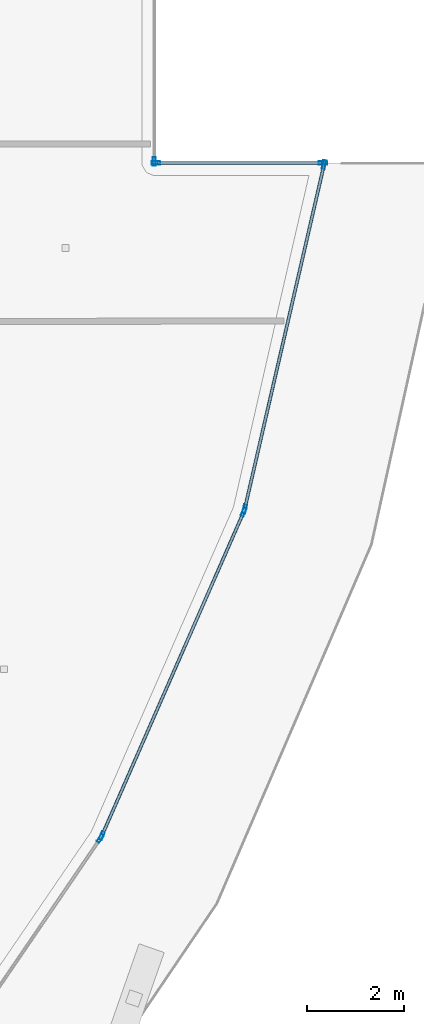
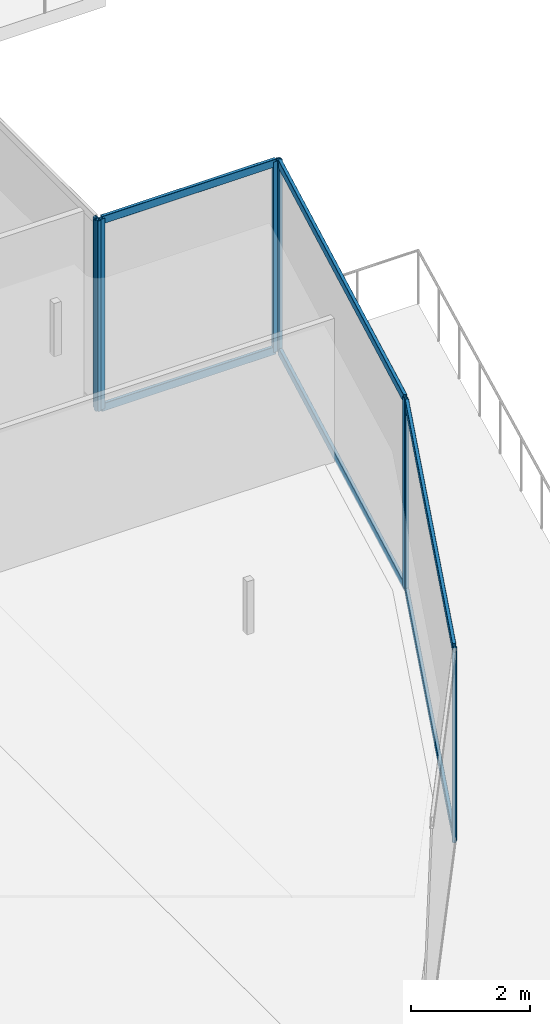
# One storey, part 23 of 44: 14 members, 5 elements without a shape of their own.
"""IFC4 building model written with IfcOpenShell, lengths in metres."""

import ifcopenshell
import ifcopenshell.guid

model = None  # the IFC model being written
_history = None  # IfcOwnerHistory: only IFC2X3 demands one
_inside = {}  # id of a spatial element -> (the spatial element, [elements in it])
_under = {}  # id of a project, library or spatial element -> (it, [spatial elements below it])
_declared = {}  # id of a project -> (the project, [libraries it declares])
_typed = {}  # id of a type object -> (the type object, [elements of that type])
_made_of = {}  # id of a material, layer set ... -> (it, [elements and type objects made of it])


def new_model(schema):
    """Start an empty IFC model of exactly this schema.

    Asked for "IFC4X3", IfcOpenShell would pick the latest addendum, in which some entities
    have other attributes; the version numbers below select the first issue.
    IFC2X3 requires an IfcOwnerHistory on every rooted entity: one is made here for all.
    """
    global model, _history
    if schema == "IFC4X3":
        model = ifcopenshell.file(schema_version=(4, 3, 0, 0))
    else:
        model = ifcopenshell.file(schema=schema)
    _inside.clear()
    _under.clear()
    _declared.clear()
    _typed.clear()
    _made_of.clear()
    _history = None
    if model.schema == "IFC2X3":
        org = make("IfcOrganization", Name="unknown")
        user = make(
            "IfcPersonAndOrganization",
            ThePerson=make("IfcPerson", FamilyName="unknown"),
            TheOrganization=org,
        )
        app = make(
            "IfcApplication",
            ApplicationDeveloper=org,
            Version="unknown",
            ApplicationFullName="unknown",
            ApplicationIdentifier="unknown",
        )
        _history = make(
            "IfcOwnerHistory",
            OwningUser=user,
            OwningApplication=app,
            ChangeAction="ADDED",
            CreationDate=0,
        )
    return model


def make(cls, **values):
    """One entity of the class cls with the attributes given. An attribute that is None is left unset."""
    return model.create_entity(
        cls, **{name: value for name, value in values.items() if value is not None}
    )


def rooted(cls, **values):
    """An entity with a GlobalId (a new one), such as an element, a storey or a relation."""
    return make(cls, GlobalId=ifcopenshell.guid.new(), OwnerHistory=_history, **values)


def si_unit(unit_type, name, prefix=None):
    """IfcSIUnit, for example si_unit("LENGTHUNIT", "METRE", prefix="MILLI")."""
    return make("IfcSIUnit", UnitType=unit_type, Prefix=prefix, Name=name)


def assignment(units):
    """IfcUnitAssignment: the units of a project."""
    return None if units is None else make("IfcUnitAssignment", Units=units)


def point(xyz):
    """IfcCartesianPoint."""
    return None if xyz is None else make("IfcCartesianPoint", Coordinates=xyz)


def direction(xyz):
    """IfcDirection."""
    return None if xyz is None else make("IfcDirection", DirectionRatios=xyz)


def frame(location, z_axis=None, x_axis=None):
    """IfcAxis2Placement3D, a coordinate frame: its origin and axes. An axis left out is left unset."""
    return make(
        "IfcAxis2Placement3D",
        Location=point(location),
        Axis=direction(z_axis),
        RefDirection=direction(x_axis),
    )


def frame_2d(location, x_axis=None):
    """IfcAxis2Placement2D, a coordinate frame in the plane: its origin and x axis."""
    return make(
        "IfcAxis2Placement2D", Location=point(location), RefDirection=direction(x_axis)
    )


def origin():
    """The frame at (0, 0, 0) with its axes left unset."""
    return frame((0.0, 0.0, 0.0))


def origin_2d():
    """The frame at (0, 0) in the plane with its x axis left unset."""
    return frame_2d((0.0, 0.0))


def place(relative_to, where):
    """IfcLocalPlacement: puts the frame where relative to a parent placement (None: the world)."""
    return make(
        "IfcLocalPlacement", PlacementRelTo=relative_to, RelativePlacement=where
    )


def context(
    kind, dimensions, precision=None, world=None, true_north=None, identifier=None
):
    """IfcGeometricRepresentationContext, for example the 3D "Model" context."""
    return make(
        "IfcGeometricRepresentationContext",
        ContextIdentifier=identifier,
        ContextType=kind,
        CoordinateSpaceDimension=dimensions,
        Precision=precision,
        WorldCoordinateSystem=world,
        TrueNorth=true_north,
    )


def subcontext(parent, identifier, kind, view, scale=None):
    """IfcGeometricRepresentationSubContext, for example "Body" below "Model"."""
    return make(
        "IfcGeometricRepresentationSubContext",
        ContextIdentifier=identifier,
        ContextType=kind,
        ParentContext=parent,
        TargetScale=scale,
        TargetView=view,
    )


def project(units=None, contexts=None):
    """IfcProject with its units and contexts."""
    return rooted(
        "IfcProject",
        Name="project",
        RepresentationContexts=contexts,
        UnitsInContext=assignment(units),
    )


def spatial(cls, under=None, at=None, **own):
    """A site, building, storey or space (cls), placed at a placement, below another one or the project."""
    s = rooted(cls, ObjectPlacement=at, **own)
    if under is not None:
        _under.setdefault(under.id(), (under, []))[1].append(s)
    return s


def profile(cls, at=None, kind="AREA", **sizes):
    """A parametric profile (cls). Its sizes go by their IFC names, for example OverallWidth=200.0."""
    return make(cls, ProfileType=kind, Position=at, **sizes)


def hollow_rectangle(**sizes):
    """IfcRectangleHollowProfileDef."""
    return profile("IfcRectangleHollowProfileDef", **sizes)


def extrude(swept, where, along, depth):
    """IfcExtrudedAreaSolid: the profile swept, set in the frame where, extruded along a direction by depth."""
    return make(
        "IfcExtrudedAreaSolid",
        SweptArea=swept,
        Position=where,
        ExtrudedDirection=direction(along),
        Depth=depth,
    )


def shape(context_of_items, identifier, shape_type, items):
    """IfcShapeRepresentation: the items that make up one representation, for example the "Body"."""
    return make(
        "IfcShapeRepresentation",
        ContextOfItems=context_of_items,
        RepresentationIdentifier=identifier,
        RepresentationType=shape_type,
        Items=items,
    )


def material(Name=None, Category=None):
    """IfcMaterial."""
    return make("IfcMaterial", Name=Name, Category=Category)


def layer(
    of_material, thickness, ventilated=None, Name=None, Category=None, Priority=None
):
    """IfcMaterialLayer: one layer of a wall or slab, of a material (None: an air gap)."""
    return make(
        "IfcMaterialLayer",
        Material=of_material,
        LayerThickness=thickness,
        IsVentilated=ventilated,
        Name=Name,
        Category=Category,
        Priority=Priority,
    )


def layer_set(layers, Name=None):
    """IfcMaterialLayerSet."""
    return make("IfcMaterialLayerSet", MaterialLayers=layers, LayerSetName=Name)


def material_profile(
    of_material, cross_section, Name=None, Category=None, Priority=None
):
    """IfcMaterialProfile: a cross section and its material."""
    return make(
        "IfcMaterialProfile",
        Name=Name,
        Material=of_material,
        Profile=cross_section,
        Priority=Priority,
        Category=Category,
    )


def profile_set(profiles, Name=None, composite=None):
    """IfcMaterialProfileSet."""
    return make(
        "IfcMaterialProfileSet",
        Name=Name,
        MaterialProfiles=profiles,
        CompositeProfile=composite,
    )


def made_of(thing, what):
    """Note that an element or type object is made of a material, layer set ...; save() writes the relation."""
    if what is not None:
        _made_of.setdefault(what.id(), (what, []))[1].append(thing)
    return thing


def type_object(cls, material=None, **own):
    """A type object (cls), such as IfcWallType, which elements share."""
    return made_of(rooted(cls, **own), material)


def element(
    cls,
    number,
    at=None,
    inside=None,
    cuts=None,
    type_object=None,
    material=None,
    context=None,
    identifier="Body",
    shape_type=None,
    held_by="IfcProductDefinitionShape",
    body=None,
    shapes=None,
    **own,
):
    """One element of the class cls, such as IfcWall. Its Tag is "e" and its number.

    at: its placement. inside: the storey or other place that contains it. cuts: it is an
    opening in that element (IfcRelVoidsElement). A single representation is given by context,
    identifier, shape_type and body (its items); several are given by shapes. held_by: the class
    of the entity that holds the representations. save() writes the other relations.
    """
    e = rooted(cls, Tag="e%d" % number, ObjectPlacement=at, **own)
    if body is not None:
        shapes = [shape(context, identifier, shape_type, body)]
    if shapes is not None:
        e.Representation = make(held_by, Representations=shapes)
    if inside is not None:
        _inside.setdefault(inside.id(), (inside, []))[1].append(e)
    if cuts is not None:
        rooted(
            "IfcRelVoidsElement", RelatingBuildingElement=cuts, RelatedOpeningElement=e
        )
    if type_object is not None:
        _typed.setdefault(type_object.id(), (type_object, []))[1].append(e)
    return made_of(e, material)


def aggregate(whole, parts):
    """IfcRelAggregates: a whole, such as a stair, and the parts it consists of."""
    return rooted("IfcRelAggregates", RelatingObject=whole, RelatedObjects=parts)


def save(model, path):
    """Write the relations noted so far, then the file.

    IfcRelAggregates (storeys below a building ...), IfcRelContainedInSpatialStructure (elements
    in a storey), IfcRelDefinesByType, IfcRelAssociatesMaterial and IfcRelDeclares: one each for
    every whole, place, type object, material and project.
    """
    for whole, parts in _under.values():
        aggregate(whole, parts)
    for where, things in _inside.values():
        rooted(
            "IfcRelContainedInSpatialStructure",
            RelatedElements=things,
            RelatingStructure=where,
        )
    for kind, things in _typed.values():
        rooted("IfcRelDefinesByType", RelatedObjects=things, RelatingType=kind)
    for what, things in _made_of.values():
        rooted("IfcRelAssociatesMaterial", RelatedObjects=things, RelatingMaterial=what)
    for by, libraries in _declared.values():
        rooted("IfcRelDeclares", RelatingContext=by, RelatedDefinitions=libraries)
    model.write(path)


model = new_model("IFC4")

# Units and contexts
model_context = context("Model", 3, precision=1e-05, world=origin(), true_north=direction((0.0, 1.0)))
body_context = subcontext(model_context, "Body", "Model", "MODEL_VIEW")
ifc_project = project(units=[si_unit("LENGTHUNIT", "METRE"), si_unit("AREAUNIT", "SQUARE_METRE"), si_unit("VOLUMEUNIT", "CUBIC_METRE"), si_unit("PLANEANGLEUNIT", "RADIAN"), si_unit("MASSUNIT", "GRAM", prefix="KILO")], contexts=[model_context])

# Site, building, storey
site_placement = place(None, origin())
site = spatial("IfcSite", under=ifc_project, at=site_placement, CompositionType="ELEMENT")
building_placement = place(site_placement, origin())
building = spatial("IfcBuilding", under=site, at=building_placement, Name="Qorvath Tower", CompositionType="ELEMENT")
storey_placement = place(building_placement, frame((0.0, 0.0, 57.60009765625)))
storey = spatial("IfcBuildingStorey", under=building, at=storey_placement, Name="L12", CompositionType="ELEMENT", Elevation=57.60009765625)

# Curtain wall, member
ifc_material_1 = material(Name="Anodised aluminium and triple low-E glass", Category="aluminium")
ifc_layer = layer(ifc_material_1, 0.179931640625)
ifc_layer_set = layer_set([ifc_layer], Name="CW-SYS-2")
curtain_wall_type = type_object("IfcCurtainWallType", Name="CW-SYS-2", PredefinedType="NOTDEFINED", material=ifc_layer_set)
curtain_wall_1_placement = place(storey_placement, origin())
curtain_wall_1 = element("IfcCurtainWall", 1, at=curtain_wall_1_placement, inside=storey, type_object=curtain_wall_type, Name="Curtain Wall CW-2 CW-T-L12-5.1", PredefinedType="NOTDEFINED")
ifc_material_2 = material(Name="Anodised aluminium 6063-T6", Category="aluminium")
ifc_material_profile_1 = material_profile(ifc_material_2, hollow_rectangle(XDim=0.06494140625, YDim=0.179931640625, WallThickness=0.00341796875, InnerFilletRadius=0.00341796875, OuterFilletRadius=0.007080078125, at=origin_2d()), Name="CWM 180x65")
ifc_profile_set_1 = profile_set([ifc_material_profile_1], Name="Anodised aluminium 6063-T6")
member_type_1 = type_object("IfcMemberType", Name="CWM-180", PredefinedType="MULLION", material=ifc_profile_set_1)
member_1_placement = place(storey_placement, frame((2.104736328125, -19.218994140625, 0.0), z_axis=(0.0, 0.0, 1.0), x_axis=(-0.825808847881, 0.563950127903, 0.0)))
member_1 = element("IfcMember", 2, at=member_1_placement, type_object=member_type_1, Name="CW-2 mullion 2", PredefinedType="MULLION", context=body_context, shape_type="SweptSolid", body=[
    extrude(hollow_rectangle(XDim=0.06494140625, YDim=0.179931640625, WallThickness=0.00341796875, InnerFilletRadius=0.00341796875, OuterFilletRadius=0.007080078125, at=origin_2d()), origin(), (0.0, 0.0, 1.0), 3.919921875),
])
aggregate(curtain_wall_1, [member_1])

# Curtain wall, members
curtain_wall_2_placement = place(storey_placement, origin())
curtain_wall_2 = element("IfcCurtainWall", 3, at=curtain_wall_2_placement, inside=storey, type_object=curtain_wall_type, Name="Curtain Wall CW-2 CW-T-L12-6.1", PredefinedType="NOTDEFINED")
member_2_placement = place(storey_placement, frame((2.135986328125, -19.162353515625, 0.0), z_axis=(0.0, 0.0, 1.0), x_axis=(-0.915962762712, 0.40126327682, 0.0)))
member_2 = element("IfcMember", 4, at=member_2_placement, type_object=member_type_1, Name="CW-2 mullion 1", PredefinedType="MULLION", context=body_context, shape_type="SweptSolid", body=[
    extrude(hollow_rectangle(XDim=0.06494140625, YDim=0.179931640625, WallThickness=0.00341796875, InnerFilletRadius=0.00341796875, OuterFilletRadius=0.007080078125, at=origin_2d()), origin(), (0.0, 0.0, 1.0), 3.919921875),
])
member_3_placement = place(storey_placement, frame((5.06494140625, -12.476318359375, 0.0), z_axis=(0.0, 0.0, 1.0), x_axis=(-0.915962762712, 0.40126327682, 0.0)))
member_3 = element("IfcMember", 5, at=member_3_placement, type_object=member_type_1, Name="CW-2 mullion 2", PredefinedType="MULLION", context=body_context, shape_type="SweptSolid", body=[
    extrude(hollow_rectangle(XDim=0.06494140625, YDim=0.179931640625, WallThickness=0.00341796875, InnerFilletRadius=0.00341796875, OuterFilletRadius=0.007080078125, at=origin_2d()), origin(), (0.0, 0.0, 1.0), 3.919921875),
])

curtain_wall_3_placement = place(storey_placement, origin())
curtain_wall_3 = element("IfcCurtainWall", 6, at=curtain_wall_3_placement, inside=storey, type_object=curtain_wall_type, Name="Curtain Wall CW-2 CW-T-L12-7.1", PredefinedType="NOTDEFINED")
member_4_placement = place(storey_placement, frame((5.08544921875, -12.414794921875, 0.0), z_axis=(0.0, 0.0, 1.0), x_axis=(-0.974426885424, 0.224704795149, 0.0)))
member_4 = element("IfcMember", 7, at=member_4_placement, type_object=member_type_1, Name="CW-2 mullion 1", PredefinedType="MULLION", context=body_context, shape_type="SweptSolid", body=[
    extrude(hollow_rectangle(XDim=0.06494140625, YDim=0.179931640625, WallThickness=0.00341796875, InnerFilletRadius=0.00341796875, OuterFilletRadius=0.007080078125, at=origin_2d()), origin(), (0.0, 0.0, 1.0), 3.919921875),
])
member_5_placement = place(storey_placement, frame((6.7255859375, -5.30224609375, 0.0), z_axis=(0.0, 0.0, 1.0), x_axis=(-0.974426885424, 0.224704795149, 0.0)))
member_5 = element("IfcMember", 8, at=member_5_placement, type_object=member_type_1, Name="CW-2 mullion 2", PredefinedType="MULLION", context=body_context, shape_type="SweptSolid", body=[
    extrude(hollow_rectangle(XDim=0.06494140625, YDim=0.179931640625, WallThickness=0.00341796875, InnerFilletRadius=0.00341796875, OuterFilletRadius=0.007080078125, at=origin_2d()), origin(), (0.0, 0.0, 1.0), 3.919921875),
])

curtain_wall_4_placement = place(storey_placement, origin())
curtain_wall_4 = element("IfcCurtainWall", 9, at=curtain_wall_4_placement, inside=storey, type_object=curtain_wall_type, Name="Curtain Wall CW-2 CW-T-L12-8.1", PredefinedType="NOTDEFINED")
member_6_placement = place(storey_placement, frame((6.700439453125, -5.2705078125, 0.0), z_axis=(0.0, 0.0, 1.0), x_axis=(0.0, -1.0, 0.0)))
member_6 = element("IfcMember", 10, at=member_6_placement, type_object=member_type_1, Name="CW-2 mullion 1", PredefinedType="MULLION", context=body_context, shape_type="SweptSolid", body=[
    extrude(hollow_rectangle(XDim=0.06494140625, YDim=0.179931640625, WallThickness=0.00341796875, InnerFilletRadius=0.00341796875, OuterFilletRadius=0.007080078125, at=origin_2d()), origin(), (0.0, 0.0, 1.0), 3.919921875),
])
member_7_placement = place(storey_placement, frame((3.251953125, -5.2705078125, 0.0), z_axis=(0.0, 0.0, 1.0), x_axis=(0.0, -1.0, 0.0)))
member_7 = element("IfcMember", 11, at=member_7_placement, type_object=member_type_1, Name="CW-2 mullion 2", PredefinedType="MULLION", context=body_context, shape_type="SweptSolid", body=[
    extrude(hollow_rectangle(XDim=0.06494140625, YDim=0.179931640625, WallThickness=0.00341796875, InnerFilletRadius=0.00341796875, OuterFilletRadius=0.007080078125, at=origin_2d()), origin(), (0.0, 0.0, 1.0), 3.919921875),
])

# Curtain wall, member
curtain_wall_5_placement = place(storey_placement, origin())
curtain_wall_5 = element("IfcCurtainWall", 12, at=curtain_wall_5_placement, inside=storey, type_object=curtain_wall_type, Name="Curtain Wall CW-2 CW-T-L12-9.1", PredefinedType="NOTDEFINED")
member_8_placement = place(storey_placement, frame((3.219482421875, -5.238037109375, 0.0), z_axis=(0.0, 0.0, 1.0), x_axis=(-1.0, 0.0, 0.0)))
member_8 = element("IfcMember", 13, at=member_8_placement, type_object=member_type_1, Name="CW-2 mullion 1", PredefinedType="MULLION", context=body_context, shape_type="SweptSolid", body=[
    extrude(hollow_rectangle(XDim=0.06494140625, YDim=0.179931640625, WallThickness=0.00341796875, InnerFilletRadius=0.00341796875, OuterFilletRadius=0.007080078125, at=origin_2d()), origin(), (0.0, 0.0, 1.0), 3.919921875),
])
aggregate(curtain_wall_5, [member_8])

# Member
ifc_material_3 = material(Name="Anodised aluminium 6063-T6", Category="aluminium")
ifc_material_profile_2 = material_profile(ifc_material_3, hollow_rectangle(XDim=0.06494140625, YDim=0.159912109375, WallThickness=0.00341796875, InnerFilletRadius=0.00341796875, OuterFilletRadius=0.007080078125, at=origin_2d()), Name="CWT 160x65")
ifc_profile_set_2 = profile_set([ifc_material_profile_2], Name="Anodised aluminium 6063-T6")
member_type_2 = type_object("IfcMemberType", Name="CWT-160", PredefinedType="USERDEFINED", material=ifc_profile_set_2)
member_9_placement = place(storey_placement, frame((2.149169921875, -19.132568359375, 0.032470703125), z_axis=(0.401254293677, 0.915966697979, 0.0), x_axis=(-0.915966697979, 0.401254293677, 0.0)))
member_9 = element("IfcMember", 14, at=member_9_placement, type_object=member_type_2, Name="CW-2 transom 1.1", ObjectType="TRANSOM", PredefinedType="USERDEFINED", context=body_context, shape_type="SweptSolid", body=[
    extrude(hollow_rectangle(XDim=0.06494140625, YDim=0.159912109375, WallThickness=0.00341796875, InnerFilletRadius=0.00341796875, OuterFilletRadius=0.007080078125, at=origin_2d()), origin(), (0.0, 0.0, 1.0), 7.234375),
])

member_10_placement = place(storey_placement, frame((2.149169921875, -19.132568359375, 3.887451171875), z_axis=(0.401254293677, 0.915966697979, 0.0), x_axis=(-0.915966697979, 0.401254293677, 0.0)))
member_10 = element("IfcMember", 15, at=member_10_placement, type_object=member_type_2, Name="CW-2 transom 1.2", ObjectType="TRANSOM", PredefinedType="USERDEFINED", context=body_context, shape_type="SweptSolid", body=[
    extrude(hollow_rectangle(XDim=0.06494140625, YDim=0.159912109375, WallThickness=0.00341796875, InnerFilletRadius=0.00341796875, OuterFilletRadius=0.007080078125, at=origin_2d()), origin(), (0.0, 0.0, 1.0), 7.234375),
])

aggregate(curtain_wall_2, [member_2, member_3, member_9, member_10])

member_11_placement = place(storey_placement, frame((5.0927734375, -12.383056640625, 0.032470703125), z_axis=(0.224691902647, 0.974429858371, 0.0), x_axis=(-0.974429858371, 0.224691902647, 0.0)))
member_11 = element("IfcMember", 16, at=member_11_placement, type_object=member_type_2, Name="CW-2 transom 1.1", ObjectType="TRANSOM", PredefinedType="USERDEFINED", context=body_context, shape_type="SweptSolid", body=[
    extrude(hollow_rectangle(XDim=0.06494140625, YDim=0.159912109375, WallThickness=0.00341796875, InnerFilletRadius=0.00341796875, OuterFilletRadius=0.007080078125, at=origin_2d()), origin(), (0.0, 0.0, 1.0), 7.234375),
])

member_12_placement = place(storey_placement, frame((5.0927734375, -12.383056640625, 3.887451171875), z_axis=(0.224691902647, 0.974429858371, 0.0), x_axis=(-0.974429858371, 0.224691902647, 0.0)))
member_12 = element("IfcMember", 17, at=member_12_placement, type_object=member_type_2, Name="CW-2 transom 1.2", ObjectType="TRANSOM", PredefinedType="USERDEFINED", context=body_context, shape_type="SweptSolid", body=[
    extrude(hollow_rectangle(XDim=0.06494140625, YDim=0.159912109375, WallThickness=0.00341796875, InnerFilletRadius=0.00341796875, OuterFilletRadius=0.007080078125, at=origin_2d()), origin(), (0.0, 0.0, 1.0), 7.234375),
])

aggregate(curtain_wall_3, [member_4, member_5, member_11, member_12])

member_13_placement = place(storey_placement, frame((6.66796875, -5.2705078125, 0.032470703125), z_axis=(-1.0, 0.0, 0.0), x_axis=(0.0, -1.0, 0.0)))
member_13 = element("IfcMember", 18, at=member_13_placement, type_object=member_type_2, Name="CW-2 transom 1.1", ObjectType="TRANSOM", PredefinedType="USERDEFINED", context=body_context, shape_type="SweptSolid", body=[
    extrude(hollow_rectangle(XDim=0.06494140625, YDim=0.159912109375, WallThickness=0.00341796875, InnerFilletRadius=0.00341796875, OuterFilletRadius=0.007080078125, at=origin_2d()), origin(), (0.0, 0.0, 1.0), 3.383544921875),
])

member_14_placement = place(storey_placement, frame((6.66796875, -5.2705078125, 3.887451171875), z_axis=(-1.0, 0.0, 0.0), x_axis=(0.0, -1.0, 0.0)))
member_14 = element("IfcMember", 19, at=member_14_placement, type_object=member_type_2, Name="CW-2 transom 1.2", ObjectType="TRANSOM", PredefinedType="USERDEFINED", context=body_context, shape_type="SweptSolid", body=[
    extrude(hollow_rectangle(XDim=0.06494140625, YDim=0.159912109375, WallThickness=0.00341796875, InnerFilletRadius=0.00341796875, OuterFilletRadius=0.007080078125, at=origin_2d()), origin(), (0.0, 0.0, 1.0), 3.383544921875),
])

aggregate(curtain_wall_4, [member_6, member_7, member_13, member_14])

save(model, "model.ifc")
